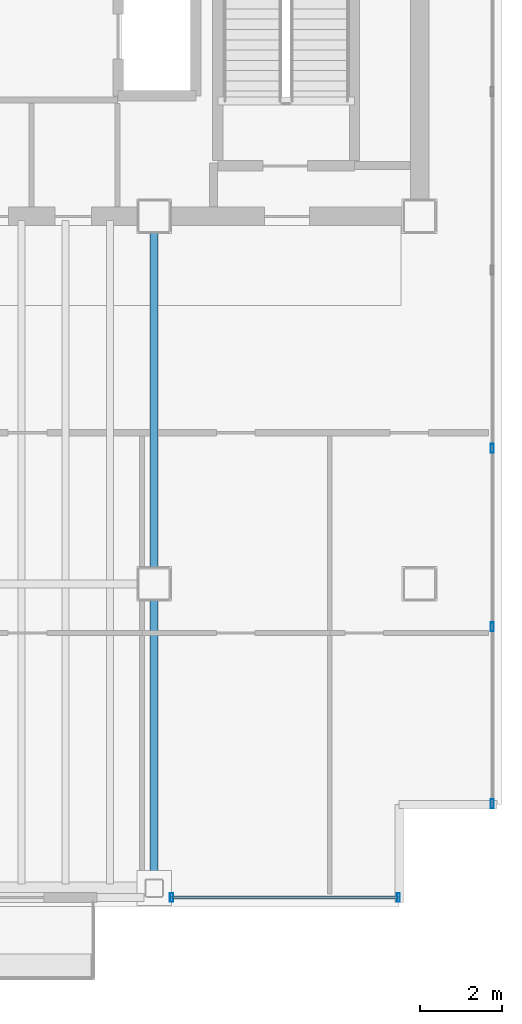
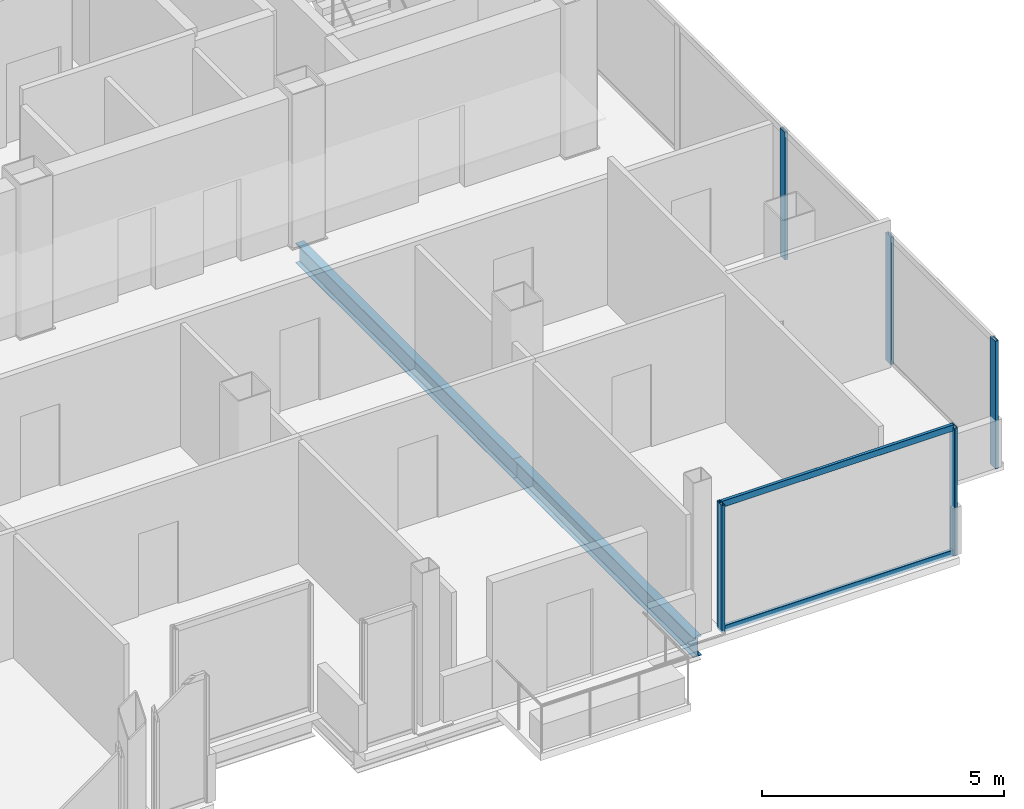
# One storey, part 10 of 17: 7 members, 2 beams, 2 elements without a shape of their own.
"""IFC4 building model written with IfcOpenShell, lengths in metres."""

from ifc_helpers import new_model, si_unit, direction, frame, origin, origin_2d, place, context, subcontext, project, spatial, hollow_rectangle, i_section, extrude, material, material_profile, profile_set, type_object, element, aggregate, save


model = new_model("IFC4")

# Units and contexts
model_context = context("Model", 3, precision=1e-05, world=origin(), true_north=direction((0.0, 1.0)))
body_context = subcontext(model_context, "Body", "Model", "MODEL_VIEW")
ifc_project = project(units=[si_unit("LENGTHUNIT", "METRE"), si_unit("AREAUNIT", "SQUARE_METRE"), si_unit("VOLUMEUNIT", "CUBIC_METRE"), si_unit("PLANEANGLEUNIT", "RADIAN"), si_unit("MASSUNIT", "GRAM", prefix="KILO")], contexts=[model_context])

# Site, building, storey
site_placement = place(None, origin())
site = spatial("IfcSite", under=ifc_project, at=site_placement, CompositionType="ELEMENT")
building_placement = place(site_placement, origin())
building = spatial("IfcBuilding", under=site, at=building_placement, Name="Noeulbin Bourse Tower", CompositionType="ELEMENT")
storey_placement = place(building_placement, frame((0.0, 0.0, 242.300048828125)))
storey = spatial("IfcBuildingStorey", under=building, at=storey_placement, Name="L60", CompositionType="ELEMENT", Elevation=242.300048828125)

# Beams
ifc_material_1 = material(Name="Steel S355", Category="steel")
ifc_material_profile_1 = material_profile(ifc_material_1, i_section(OverallWidth=0.199951171875, OverallDepth=0.5, WebThickness=0.010009765625, FlangeThickness=0.01611328125, FilletRadius=0.02001953125, at=origin_2d()), Name="H-500x200x10x16", Category="LoadBearing")
ifc_profile_set_1 = profile_set([ifc_material_profile_1], Name="Steel S355")
beam_type = type_object("IfcBeamType", Name="BM-GRD-500", PredefinedType="USERDEFINED", material=ifc_profile_set_1)
beam_1_placement = place(storey_placement, frame((37.5, 12.550048828125, -0.429931640625), z_axis=(0.0, 1.0, 0.0), x_axis=(-1.0, 0.0, 0.0)))
element("IfcBeam", 1, at=beam_1_placement, inside=storey, type_object=beam_type, Name="Tower Primary Girder NS L60-4.1", ObjectType="GIRDER", PredefinedType="USERDEFINED", context=body_context, shape_type="SweptSolid", body=[
    extrude(i_section(OverallWidth=0.199951171875, OverallDepth=0.5, WebThickness=0.010009765625, FlangeThickness=0.01611328125, FilletRadius=0.02001953125, at=origin_2d()), origin(), (0.0, 0.0, 1.0), 7.449951171875),
])
beam_2_placement = place(storey_placement, frame((37.5, 20.0, -0.429931640625), z_axis=(0.0, 1.0, 0.0), x_axis=(-1.0, 0.0, 0.0)))
element("IfcBeam", 2, at=beam_2_placement, inside=storey, type_object=beam_type, Name="Tower Primary Girder NS L60-4.2", ObjectType="GIRDER", PredefinedType="USERDEFINED", context=body_context, shape_type="SweptSolid", body=[
    extrude(i_section(OverallWidth=0.199951171875, OverallDepth=0.5, WebThickness=0.010009765625, FlangeThickness=0.01611328125, FilletRadius=0.02001953125, at=origin_2d()), origin(), (0.0, 0.0, 1.0), 9.0),
])

# Curtain wall, members
ifc_material_2 = material(Name="High-Selectivity Low-Iron Glazing", Category="glass")
curtain_wall_type = type_object("IfcCurtainWallType", Name="CW-SYS-4", PredefinedType="NOTDEFINED", material=ifc_material_2)
curtain_wall_1_placement = place(storey_placement, origin())
curtain_wall_1 = element("IfcCurtainWall", 3, at=curtain_wall_1_placement, inside=storey, type_object=curtain_wall_type, Name="Unitised Curtain Wall CW-L60-S3", PredefinedType="NOTDEFINED")
ifc_material_3 = material(Name="Anodised Aluminium 6063-T6", Category="aluminium")
ifc_material_profile_2 = material_profile(ifc_material_3, hollow_rectangle(XDim=0.074951171875, YDim=0.219970703125, WallThickness=0.0048828125, InnerFilletRadius=0.00244140625, OuterFilletRadius=0.0048828125, at=origin_2d()), Name="ALU-MULL-75x220x5", Category="LoadBearing")
ifc_profile_set_2 = profile_set([ifc_material_profile_2], Name="Anodised Aluminium 6063-T6")
member_type_1 = type_object("IfcMemberType", Name="CW-SYS-4-MUL", PredefinedType="MULLION", material=ifc_profile_set_2)
member_1_placement = place(storey_placement, frame((37.925048828125, 12.320068359375, -0.02001953125), z_axis=(0.0, 0.0, 1.0), x_axis=(1.0, 0.0, 0.0)))
member_1 = element("IfcMember", 4, at=member_1_placement, type_object=member_type_1, Name="Curtain Wall Mullion CW-L60-S3-M00", PredefinedType="MULLION", context=body_context, shape_type="SweptSolid", body=[
    extrude(hollow_rectangle(XDim=0.074951171875, YDim=0.219970703125, WallThickness=0.0048828125, InnerFilletRadius=0.00244140625, OuterFilletRadius=0.0048828125, at=origin_2d()), origin(), (0.0, 0.0, 1.0), 3.219970703125),
])
member_2_placement = place(storey_placement, frame((43.47998046875, 12.320068359375, -0.02001953125), z_axis=(0.0, 0.0, 1.0), x_axis=(1.0, 0.0, 0.0)))
member_2 = element("IfcMember", 5, at=member_2_placement, type_object=member_type_1, Name="Curtain Wall Mullion CW-L60-S3-M01", PredefinedType="MULLION", context=body_context, shape_type="SweptSolid", body=[
    extrude(hollow_rectangle(XDim=0.074951171875, YDim=0.219970703125, WallThickness=0.0048828125, InnerFilletRadius=0.00244140625, OuterFilletRadius=0.0048828125, at=origin_2d()), origin(), (0.0, 0.0, 1.0), 3.219970703125),
])

curtain_wall_2_placement = place(storey_placement, origin())
curtain_wall_2 = element("IfcCurtainWall", 6, at=curtain_wall_2_placement, inside=storey, type_object=curtain_wall_type, Name="Unitised Curtain Wall CW-L60-E", PredefinedType="NOTDEFINED")
member_3_placement = place(storey_placement, frame((45.780029296875, 14.6201171875, -0.02001953125), z_axis=(0.0, 0.0, 1.0), x_axis=(1.0, 0.0, 0.0)))
member_3 = element("IfcMember", 7, at=member_3_placement, type_object=member_type_1, Name="Curtain Wall Mullion CW-L60-E-M00", PredefinedType="MULLION", context=body_context, shape_type="SweptSolid", body=[
    extrude(hollow_rectangle(XDim=0.074951171875, YDim=0.219970703125, WallThickness=0.0048828125, InnerFilletRadius=0.00244140625, OuterFilletRadius=0.0048828125, at=origin_2d()), origin(), (0.0, 0.0, 1.0), 3.219970703125),
])
member_4_placement = place(storey_placement, frame((45.780029296875, 18.947998046875, -0.02001953125), z_axis=(0.0, 0.0, 1.0), x_axis=(1.0, 0.0, 0.0)))
member_4 = element("IfcMember", 8, at=member_4_placement, type_object=member_type_1, Name="Curtain Wall Mullion CW-L60-E-M01", PredefinedType="MULLION", context=body_context, shape_type="SweptSolid", body=[
    extrude(hollow_rectangle(XDim=0.074951171875, YDim=0.219970703125, WallThickness=0.0048828125, InnerFilletRadius=0.00244140625, OuterFilletRadius=0.0048828125, at=origin_2d()), origin(), (0.0, 0.0, 1.0), 3.219970703125),
])
member_5_placement = place(storey_placement, frame((45.780029296875, 23.31591796875, -0.02001953125), z_axis=(0.0, 0.0, 1.0), x_axis=(1.0, 0.0, 0.0)))
member_5 = element("IfcMember", 9, at=member_5_placement, type_object=member_type_1, Name="Curtain Wall Mullion CW-L60-E-M02", PredefinedType="MULLION", context=body_context, shape_type="SweptSolid", body=[
    extrude(hollow_rectangle(XDim=0.074951171875, YDim=0.219970703125, WallThickness=0.0048828125, InnerFilletRadius=0.00244140625, OuterFilletRadius=0.0048828125, at=origin_2d()), origin(), (0.0, 0.0, 1.0), 3.219970703125),
])
aggregate(curtain_wall_2, [member_3, member_4, member_5])

# Member
ifc_material_profile_3 = material_profile(ifc_material_3, hollow_rectangle(XDim=0.074951171875, YDim=0.159912109375, WallThickness=0.0048828125, InnerFilletRadius=0.00244140625, OuterFilletRadius=0.0048828125, at=origin_2d()), Name="ALU-TRAN-75x160x5", Category="LoadBearing")
ifc_profile_set_3 = profile_set([ifc_material_profile_3], Name="Anodised Aluminium 6063-T6")
member_type_2 = type_object("IfcMemberType", Name="CW-SYS-4-TRN", PredefinedType="USERDEFINED", material=ifc_profile_set_3)
member_6_placement = place(storey_placement, frame((37.93505859375, 12.320068359375, 0.010009765625), z_axis=(1.0, 0.0, 0.0), x_axis=(0.0, 1.0, 0.0)))
member_6 = element("IfcMember", 10, at=member_6_placement, type_object=member_type_2, Name="Curtain Wall Transom CW-L60-S3-T00", ObjectType="TRANSOM", PredefinedType="USERDEFINED", context=body_context, shape_type="SweptSolid", body=[
    extrude(hollow_rectangle(XDim=0.074951171875, YDim=0.159912109375, WallThickness=0.0048828125, InnerFilletRadius=0.00244140625, OuterFilletRadius=0.0048828125, at=origin_2d()), origin(), (0.0, 0.0, 1.0), 5.534912109375),
])

member_7_placement = place(storey_placement, frame((37.93505859375, 12.320068359375, 3.169921875), z_axis=(1.0, 0.0, 0.0), x_axis=(0.0, 1.0, 0.0)))
member_7 = element("IfcMember", 11, at=member_7_placement, type_object=member_type_2, Name="Curtain Wall Transom CW-L60-S3-T01", ObjectType="TRANSOM", PredefinedType="USERDEFINED", context=body_context, shape_type="SweptSolid", body=[
    extrude(hollow_rectangle(XDim=0.074951171875, YDim=0.159912109375, WallThickness=0.0048828125, InnerFilletRadius=0.00244140625, OuterFilletRadius=0.0048828125, at=origin_2d()), origin(), (0.0, 0.0, 1.0), 5.534912109375),
])

aggregate(curtain_wall_1, [member_1, member_2, member_6, member_7])

save(model, "model.ifc")
